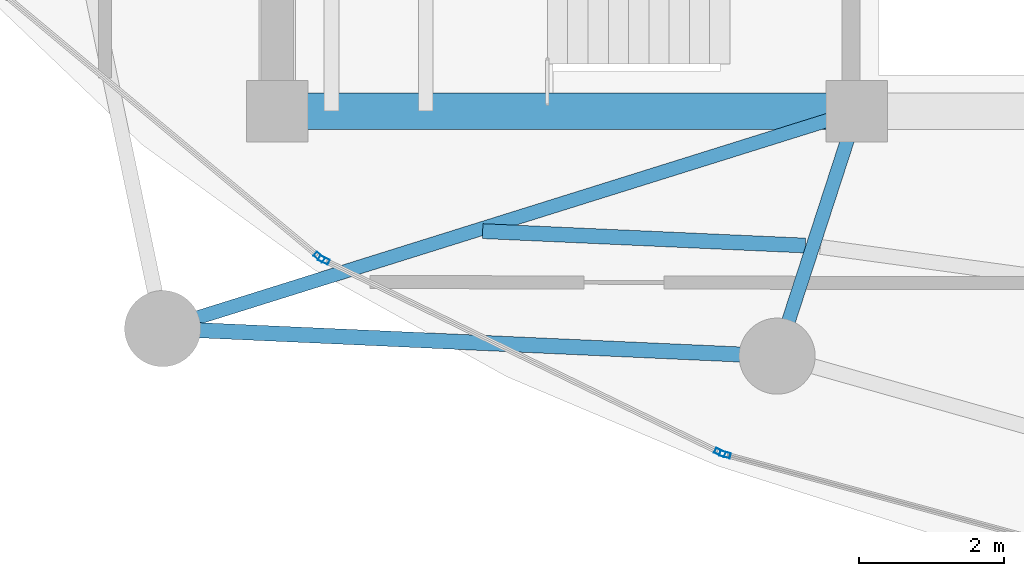
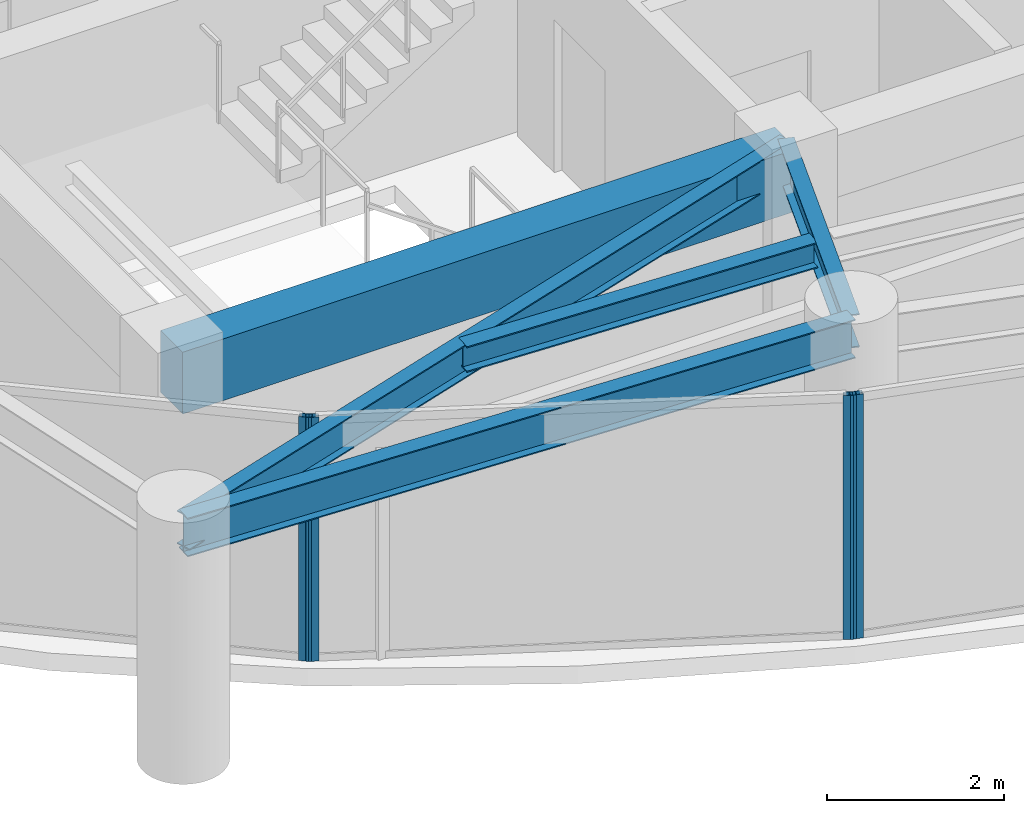
# One storey, part 2 of 28: 5 beams, 4 members, 3 elements without a shape of their own.
"""IFC4 building model written with IfcOpenShell, lengths in metres."""

from ifc_helpers import new_model, si_unit, direction, frame, origin, origin_2d, place, context, subcontext, project, spatial, rectangle, hollow_rectangle, i_section, extrude, material, layer, layer_set, material_profile, profile_set, type_object, element, aggregate, save


model = new_model("IFC4")

# Units and contexts
model_context = context("Model", 3, precision=1e-05, world=origin(), true_north=direction((0.0, 1.0)))
body_context = subcontext(model_context, "Body", "Model", "MODEL_VIEW")
ifc_project = project(units=[si_unit("LENGTHUNIT", "METRE"), si_unit("AREAUNIT", "SQUARE_METRE"), si_unit("VOLUMEUNIT", "CUBIC_METRE"), si_unit("PLANEANGLEUNIT", "RADIAN"), si_unit("MASSUNIT", "GRAM", prefix="KILO")], contexts=[model_context])

# Site, building, storey
site_placement = place(None, origin())
site = spatial("IfcSite", under=ifc_project, at=site_placement, CompositionType="ELEMENT")
building_placement = place(site_placement, origin())
building = spatial("IfcBuilding", under=site, at=building_placement, Name="Kazevale Care Tower and Concert Hall", CompositionType="ELEMENT")
storey_placement = place(building_placement, frame((0.0, 0.0, 231.60009765625)))
storey = spatial("IfcBuildingStorey", under=building, at=storey_placement, Name="L61", CompositionType="ELEMENT", Elevation=231.60009765625)

# Curtain wall, member
ifc_material_1 = material(Name="Aluminium 6063-T6 and Low-E Glass", Category="aluminium")
ifc_layer = layer(ifc_material_1, 0.179931640625)
ifc_layer_set = layer_set([ifc_layer], Name="Aluminium 6063-T6 and Low-E Glass")
curtain_wall_type = type_object("IfcCurtainWallType", Name="Sheltered Concave Balcony Curtain Wall CW-5", PredefinedType="NOTDEFINED", material=ifc_layer_set)
curtain_wall_1_placement = place(storey_placement, origin())
curtain_wall_1 = element("IfcCurtainWall", 1, at=curtain_wall_1_placement, inside=storey, type_object=curtain_wall_type, Name="cw:L61:f08", PredefinedType="NOTDEFINED")
ifc_material_2 = material(Name="Aluminium 6063-T6", Category="aluminium")
ifc_material_profile_1 = material_profile(ifc_material_2, hollow_rectangle(XDim=0.074951171875, YDim=0.14990234375, WallThickness=0.00390625, at=origin_2d()), Name="ALU75x150x4")
ifc_profile_set_1 = profile_set([ifc_material_profile_1], Name="Aluminium 6063-T6")
member_type = type_object("IfcMemberType", Name="CW-5 Mullion ALU75x150x4", PredefinedType="MULLION", material=ifc_profile_set_1)
member_1_placement = place(storey_placement, frame((28.18017578125, 18.863037109375, 0.0), z_axis=(0.0, 0.0, 1.0), x_axis=(-0.262848968947, -0.964836991167, 0.0)))
member_1 = element("IfcMember", 2, at=member_1_placement, type_object=member_type, Name="CW-5 mullion 2", PredefinedType="MULLION", context=body_context, shape_type="SweptSolid", body=[
    extrude(hollow_rectangle(XDim=0.074951171875, YDim=0.14990234375, WallThickness=0.00390625, at=origin_2d()), origin(), (0.0, 0.0, 1.0), 3.35986328125),
])
aggregate(curtain_wall_1, [member_1])

# Curtain wall, members
curtain_wall_2_placement = place(storey_placement, origin())
curtain_wall_2 = element("IfcCurtainWall", 3, at=curtain_wall_2_placement, inside=storey, type_object=curtain_wall_type, Name="cw:L61:f09", PredefinedType="NOTDEFINED")
member_2_placement = place(storey_placement, frame((28.1103515625, 18.889404296875, 0.0), z_axis=(0.0, 0.0, 1.0), x_axis=(-0.437238357087, -0.89934566163, 0.0)))
member_2 = element("IfcMember", 4, at=member_2_placement, type_object=member_type, Name="CW-5 mullion 1", PredefinedType="MULLION", context=body_context, shape_type="SweptSolid", body=[
    extrude(hollow_rectangle(XDim=0.074951171875, YDim=0.14990234375, WallThickness=0.00390625, at=origin_2d()), origin(), (0.0, 0.0, 1.0), 3.35986328125),
])
member_3_placement = place(storey_placement, frame((22.644775390625, 21.546630859375, 0.0), z_axis=(0.0, 0.0, 1.0), x_axis=(-0.437238357087, -0.89934566163, 0.0)))
member_3 = element("IfcMember", 5, at=member_3_placement, type_object=member_type, Name="CW-5 mullion 2", PredefinedType="MULLION", context=body_context, shape_type="SweptSolid", body=[
    extrude(hollow_rectangle(XDim=0.074951171875, YDim=0.14990234375, WallThickness=0.00390625, at=origin_2d()), origin(), (0.0, 0.0, 1.0), 3.35986328125),
])
aggregate(curtain_wall_2, [member_2, member_3])

# Curtain wall, member
curtain_wall_3_placement = place(storey_placement, origin())
curtain_wall_3 = element("IfcCurtainWall", 6, at=curtain_wall_3_placement, inside=storey, type_object=curtain_wall_type, Name="cw:L61:f10", PredefinedType="NOTDEFINED")
member_4_placement = place(storey_placement, frame((22.582275390625, 21.5869140625, 0.0), z_axis=(0.0, 0.0, 1.0), x_axis=(-0.639961217204, -0.768407210062, 0.0)))
member_4 = element("IfcMember", 7, at=member_4_placement, type_object=member_type, Name="CW-5 mullion 1", PredefinedType="MULLION", context=body_context, shape_type="SweptSolid", body=[
    extrude(hollow_rectangle(XDim=0.074951171875, YDim=0.14990234375, WallThickness=0.00390625, at=origin_2d()), origin(), (0.0, 0.0, 1.0), 3.35986328125),
])
aggregate(curtain_wall_3, [member_4])

# Beams
ifc_material_3 = material(Name="Concrete C60", Category="concrete")
ifc_material_profile_2 = material_profile(ifc_material_3, rectangle(XDim=0.5, YDim=0.85009765625, at=origin_2d()), Name="RC-B500x850")
ifc_profile_set_2 = profile_set([ifc_material_profile_2], Name="Concrete C60")
beam_type_1 = type_object("IfcBeamType", Name="Core Coupling Beam RC500x850", PredefinedType="LINTEL", material=ifc_profile_set_2)
beam_1_placement = place(storey_placement, frame((22.0, 23.60009765625, 2.934814453125), z_axis=(1.0, 0.0, 0.0), x_axis=(0.0, 1.0, 0.0)))
element("IfcBeam", 8, at=beam_1_placement, inside=storey, type_object=beam_type_1, Name="beam:L61:coretie:1", PredefinedType="LINTEL", context=body_context, shape_type="SweptSolid", body=[
    extrude(rectangle(XDim=0.5, YDim=0.85009765625, at=origin_2d()), origin(), (0.0, 0.0, 1.0), 8.0),
])
ifc_material_4 = material(Name="Steel ASTM A572 Gr 50", Category="steel")
ifc_material_profile_3 = material_profile(ifc_material_4, i_section(OverallWidth=0.19091796875, OverallDepth=0.4599609375, WebThickness=0.010009765625, FlangeThickness=0.01611328125, at=origin_2d()), Name="W460x82")
ifc_profile_set_3 = profile_set([ifc_material_profile_3], Name="Steel ASTM A572 Gr 50")
beam_type_2 = type_object("IfcBeamType", Name="Radial Floor Beam W460x82", PredefinedType="BEAM", material=ifc_profile_set_3)
beam_2_placement = place(storey_placement, frame((30.0, 23.60009765625, 3.1298828125), z_axis=(-0.954303255322, -0.298839918486, 0.0), x_axis=(0.298839918486, -0.954303255322, 0.0)))
element("IfcBeam", 9, at=beam_2_placement, inside=storey, type_object=beam_type_2, Name="beam:L61:rad:10", PredefinedType="BEAM", context=body_context, shape_type="SweptSolid", body=[
    extrude(i_section(OverallWidth=0.19091796875, OverallDepth=0.4599609375, WebThickness=0.010009765625, FlangeThickness=0.01611328125, at=origin_2d()), origin(), (0.0, 0.0, 1.0), 10.038818359375),
])
beam_3_placement = place(storey_placement, frame((30.0, 23.60009765625, 3.1298828125), z_axis=(-0.309482065101, -0.950905279921, 0.0), x_axis=(0.950905279921, -0.309482065101, 0.0)))
element("IfcBeam", 10, at=beam_3_placement, inside=storey, type_object=beam_type_2, Name="beam:L61:rad:11", PredefinedType="BEAM", context=body_context, shape_type="SweptSolid", body=[
    extrude(i_section(OverallWidth=0.19091796875, OverallDepth=0.4599609375, WebThickness=0.010009765625, FlangeThickness=0.01611328125, at=origin_2d()), origin(), (0.0, 0.0, 1.0), 3.5546875),
])
ifc_material_profile_4 = material_profile(ifc_material_4, i_section(OverallWidth=0.205078125, OverallDepth=0.35400390625, WebThickness=0.009521484375, FlangeThickness=0.016845703125, at=origin_2d()), Name="W360x79")
ifc_profile_set_4 = profile_set([ifc_material_profile_4], Name="Steel ASTM A572 Gr 50")
beam_type_3 = type_object("IfcBeamType", Name="Secondary Floor Joist W360x79", PredefinedType="JOIST", material=ifc_profile_set_4)
beam_4_placement = place(storey_placement, frame((24.8359375, 21.945068359375, 3.182861328125), z_axis=(0.999003687274, -0.044627713502, 0.0), x_axis=(0.044627713502, 0.999003687274, 0.0)))
element("IfcBeam", 11, at=beam_4_placement, inside=storey, type_object=beam_type_3, Name="beam:L61:joist:10", PredefinedType="JOIST", context=body_context, shape_type="SweptSolid", body=[
    extrude(i_section(OverallWidth=0.205078125, OverallDepth=0.35400390625, WebThickness=0.009521484375, FlangeThickness=0.016845703125, at=origin_2d()), origin(), (0.0, 0.0, 1.0), 4.45849609375),
])
ifc_material_profile_5 = material_profile(ifc_material_4, i_section(OverallWidth=0.208984375, OverallDepth=0.532958984375, WebThickness=0.01025390625, FlangeThickness=0.015625, at=origin_2d()), Name="W530x92")
ifc_profile_set_5 = profile_set([ifc_material_profile_5], Name="Steel ASTM A572 Gr 50")
beam_type_4 = type_object("IfcBeamType", Name="Upper Ring Beam W530x92", PredefinedType="BEAM", material=ifc_profile_set_5)
beam_5_placement = place(storey_placement, frame((20.419921875, 20.60009765625, 3.093505859375), z_axis=(0.998996808771, -0.044781425441, 0.0), x_axis=(0.044781425441, 0.998996808771, 0.0)))
element("IfcBeam", 12, at=beam_5_placement, inside=storey, type_object=beam_type_4, Name="beam:L61:ring:10", PredefinedType="BEAM", context=body_context, shape_type="SweptSolid", body=[
    extrude(i_section(OverallWidth=0.208984375, OverallDepth=0.532958984375, WebThickness=0.01025390625, FlangeThickness=0.015625, at=origin_2d()), origin(), (0.0, 0.0, 1.0), 8.488525390625),
])

save(model, "model.ifc")
